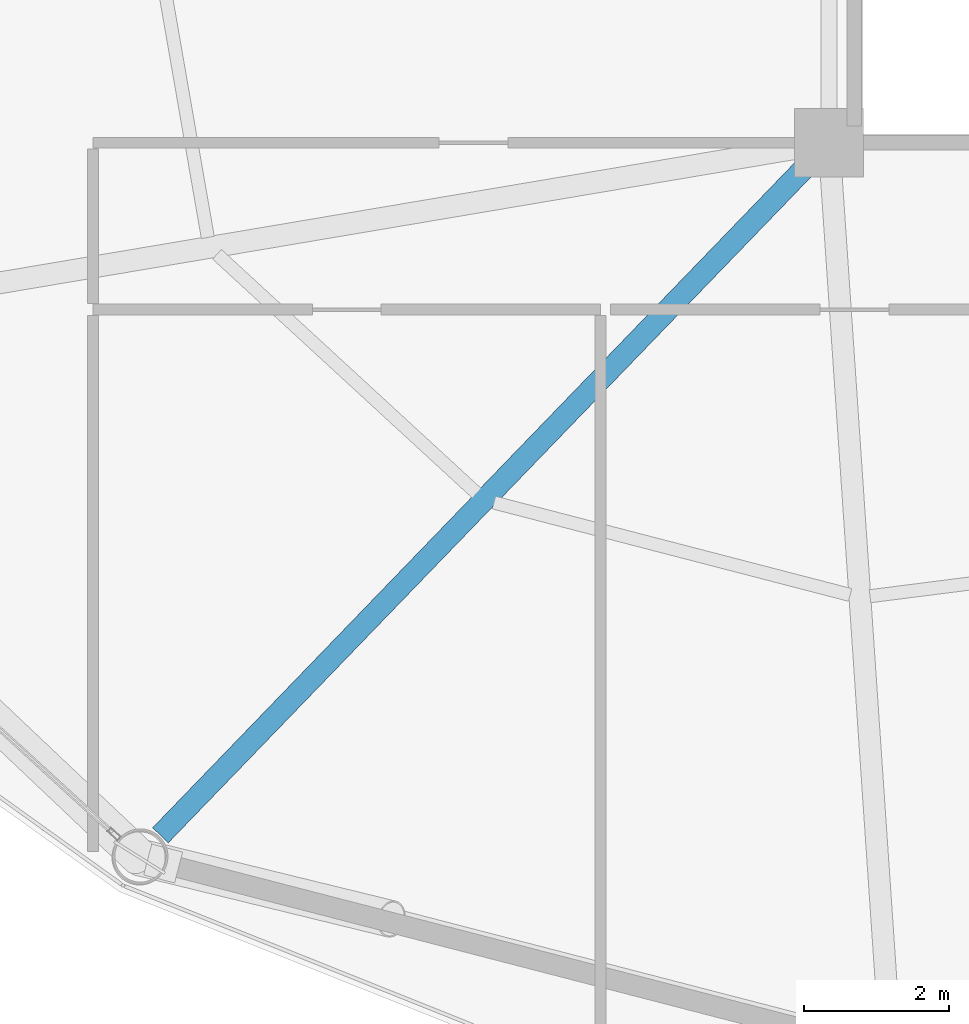
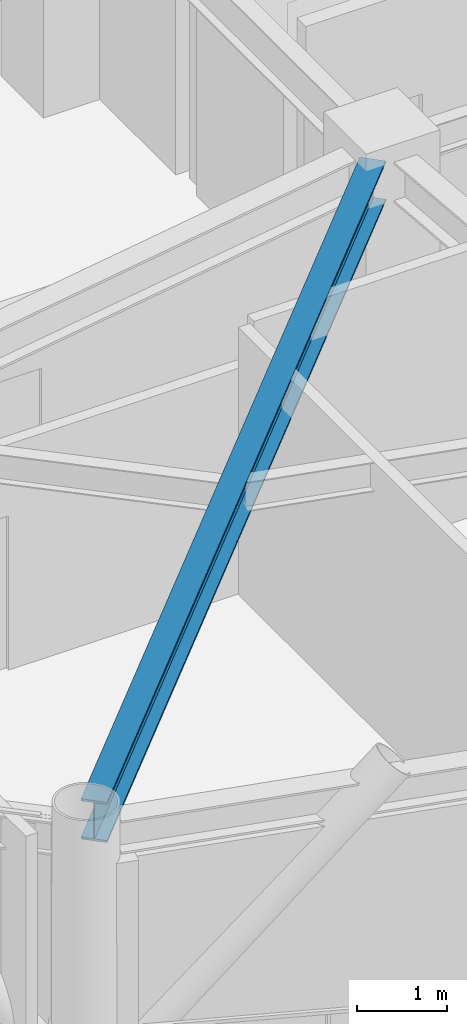
# One storey, part 4 of 25: 1 beam.
"""IFC4 building model written with IfcOpenShell, lengths in metres."""

from ifc_helpers import new_model, si_unit, direction, frame, origin, origin_2d, place, context, subcontext, project, spatial, i_section, extrude, material, material_profile, profile_set, type_object, element, save


model = new_model("IFC4")

# Units and contexts
model_context = context("Model", 3, precision=1e-05, world=origin(), true_north=direction((0.0, 1.0)))
body_context = subcontext(model_context, "Body", "Model", "MODEL_VIEW")
ifc_project = project(units=[si_unit("LENGTHUNIT", "METRE"), si_unit("AREAUNIT", "SQUARE_METRE"), si_unit("VOLUMEUNIT", "CUBIC_METRE"), si_unit("PLANEANGLEUNIT", "RADIAN"), si_unit("MASSUNIT", "GRAM", prefix="KILO")], contexts=[model_context])

# Site, building, storey
site_placement = place(None, origin())
site = spatial("IfcSite", under=ifc_project, at=site_placement, CompositionType="ELEMENT")
building_placement = place(site_placement, origin())
building = spatial("IfcBuilding", under=site, at=building_placement, Name="Varnakorn Sky Granary", CompositionType="ELEMENT")
storey_placement = place(building_placement, frame((0.0, 0.0, 146.10009765625)))
storey = spatial("IfcBuildingStorey", under=building, at=storey_placement, Name="L36", CompositionType="ELEMENT", Elevation=146.10009765625)

# Beam
ifc_material = material(Name="Steel S355JR", Category="steel")
ifc_material_profile = material_profile(ifc_material, i_section(OverallWidth=0.300048828125, OverallDepth=0.550048828125, WebThickness=0.014892578125, FlangeThickness=0.029052734375, at=origin_2d()), Name="HE 550 B")
ifc_profile_set = profile_set([ifc_material_profile], Name="Steel S355JR")
beam_type = type_object("IfcBeamType", Name="BM-RAD-Z3", PredefinedType="BEAM", material=ifc_profile_set)
beam_placement = place(storey_placement, frame((-2.6416015625, -6.902099609375, 3.364990234375), z_axis=(-0.694547738625, -0.719446619821, 0.0), x_axis=(0.719446619821, -0.694547738625, 0.0)))
element("IfcBeam", 1, at=beam_placement, inside=storey, type_object=beam_type, Name="Radial Floor Girder RG09 L36", PredefinedType="BEAM", context=body_context, shape_type="SweptSolid", body=[
    extrude(i_section(OverallWidth=0.300048828125, OverallDepth=0.550048828125, WebThickness=0.014892578125, FlangeThickness=0.029052734375, at=origin_2d()), origin(), (0.0, 0.0, 1.0), 12.854736328125),
])

save(model, "model.ifc")
